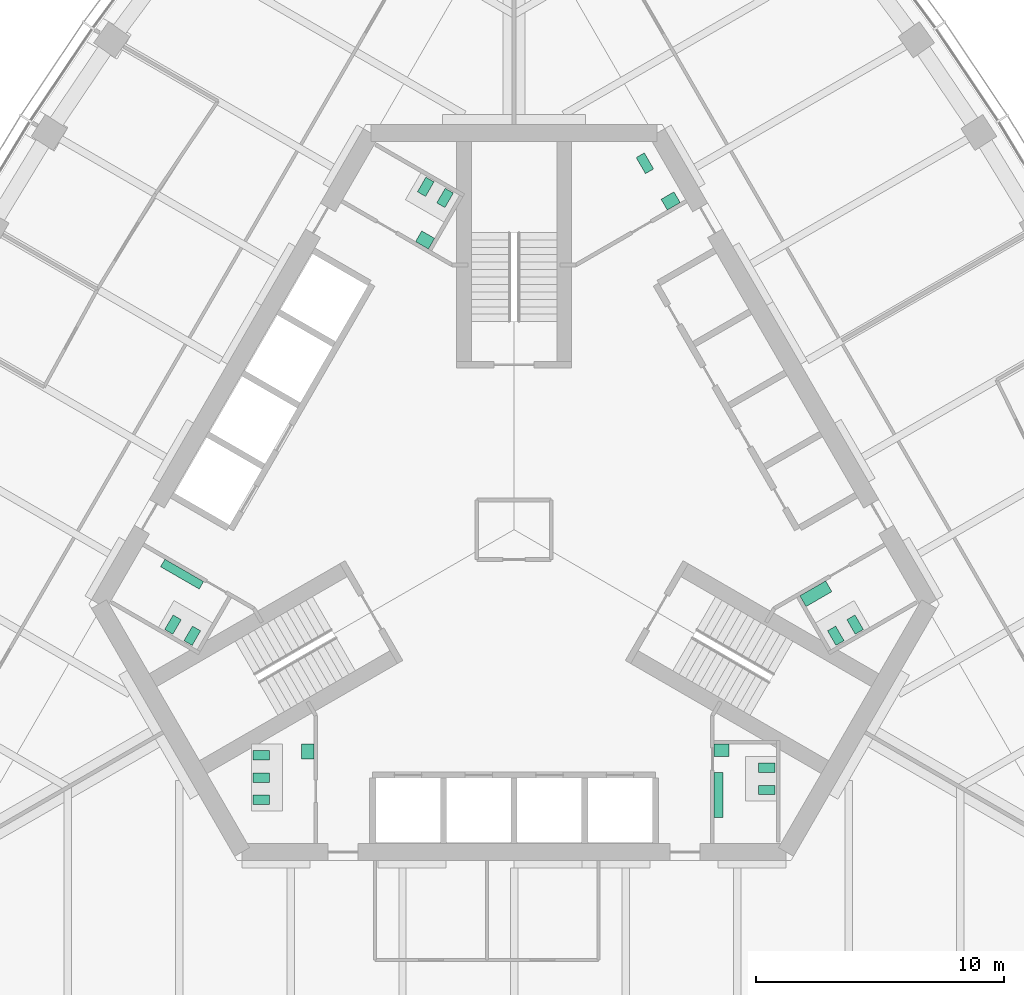
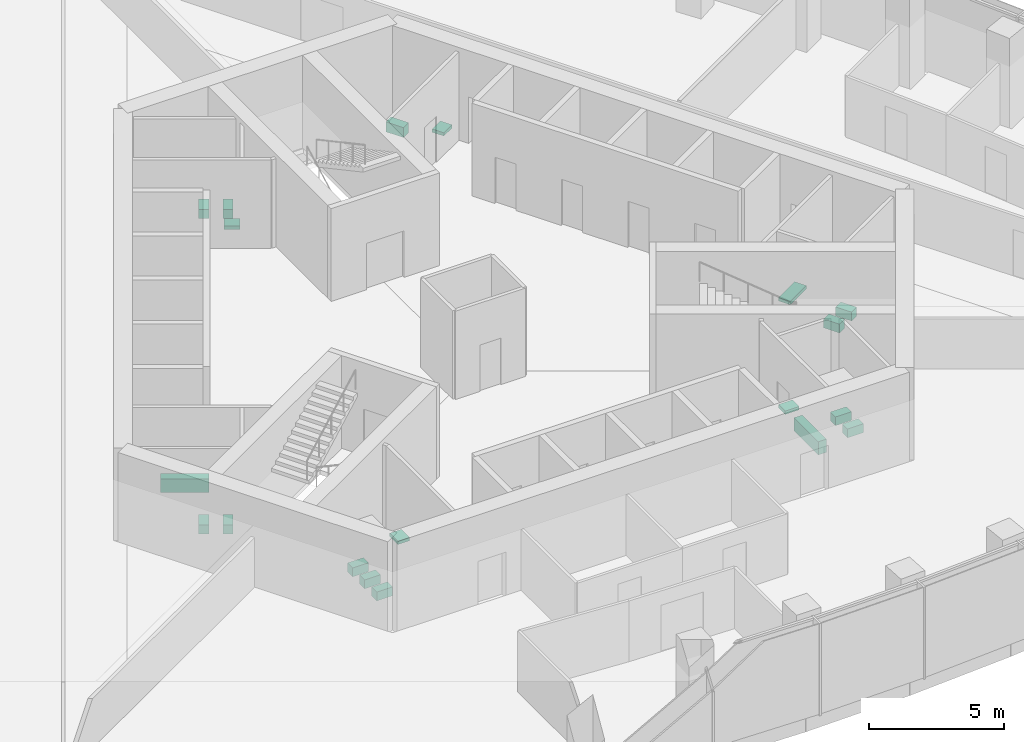
# One storey, part 18 of 19: 19 sanitary terminals.
"""IFC4 building model written with IfcOpenShell, lengths in metres."""

from ifc_helpers import new_model, si_unit, direction, frame, origin, place, context, subcontext, project, spatial, polyline, outline, extrude, material, type_object, element, save


model = new_model("IFC4")

# Units and contexts
model_context = context("Model", 3, precision=1e-05, world=origin(), true_north=direction((0.0, 1.0)))
body_context = subcontext(model_context, "Body", "Model", "MODEL_VIEW")
ifc_project = project(units=[si_unit("LENGTHUNIT", "METRE"), si_unit("AREAUNIT", "SQUARE_METRE"), si_unit("VOLUMEUNIT", "CUBIC_METRE"), si_unit("PLANEANGLEUNIT", "RADIAN"), si_unit("MASSUNIT", "GRAM", prefix="KILO")], contexts=[model_context])

# Site, building, storey
site_placement = place(None, origin())
site = spatial("IfcSite", under=ifc_project, at=site_placement, CompositionType="ELEMENT")
building_placement = place(site_placement, origin())
building = spatial("IfcBuilding", under=site, at=building_placement, Name="Trefoil Bronze Tower", CompositionType="ELEMENT")
storey_placement = place(building_placement, frame((0.0, 0.0, 240.10009765625)))
storey = spatial("IfcBuildingStorey", under=building, at=storey_placement, Name="L55", CompositionType="ELEMENT", Elevation=240.10009765625)

# Sanitary terminals
ifc_material_1 = material(Name="Vitreous china", Category="ceramic")
sanitary_terminal_type_1 = type_object("IfcSanitaryTerminalType", Name="Accessible WC pan", PredefinedType="TOILETPAN", material=ifc_material_1)
sanitary_terminal_1_placement = place(storey_placement, origin())
element("IfcSanitaryTerminal", 1, at=sanitary_terminal_1_placement, inside=storey, type_object=sanitary_terminal_type_1, Name="WC pan 1 Accessible WC L55", PredefinedType="TOILETPAN", context=body_context, shape_type="SweptSolid", body=[
    extrude(outline(polyline([(5.300537109375, 14.359130859375), (4.925537109375, 15.008544921875), (5.254638671875, 15.198486328125), (5.629638671875, 14.549072265625), (5.300537109375, 14.359130859375)])), origin(), (0.0, 0.0, 1.0), 0.449951171875),
])
ifc_material_2 = material(Name="Vitreous china", Category="ceramic")
sanitary_terminal_type_2 = type_object("IfcSanitaryTerminalType", Name="Accessible basin", PredefinedType="WASHHANDBASIN", material=ifc_material_2)
sanitary_terminal_2_placement = place(storey_placement, frame((0.0, 0.0, 0.64990234375)))
element("IfcSanitaryTerminal", 2, at=sanitary_terminal_2_placement, inside=storey, type_object=sanitary_terminal_type_2, Name="Wash basin Accessible WC L55", PredefinedType="WASHHANDBASIN", context=body_context, shape_type="SweptSolid", body=[
    extrude(outline(polyline([(6.181640625, 12.89306640625), (5.931640625, 13.326171875), (6.451171875, 13.626220703125), (6.701171875, 13.193115234375), (6.181640625, 12.89306640625)])), origin(), (0.0, 0.0, 1.0), 0.14990234375),
])
ifc_material_3 = material(Name="Vitreous china", Category="ceramic")
sanitary_terminal_type_3 = type_object("IfcSanitaryTerminalType", Name="Urinal range 3 urinals", PredefinedType="URINAL", material=ifc_material_3)
sanitary_terminal_3_placement = place(storey_placement, frame((0.0, 0.0, 0.39990234375)))
element("IfcSanitaryTerminal", 3, at=sanitary_terminal_3_placement, inside=storey, type_object=sanitary_terminal_type_3, Name="Urinal range WC (men) L55", PredefinedType="URINAL", context=body_context, shape_type="SweptSolid", body=[
    extrude(outline(polyline([(8.074951171875, -9.800048828125), (8.425048828125, -9.800048828125), (8.425048828125, -11.60009765625), (8.074951171875, -11.60009765625), (8.074951171875, -9.800048828125)])), origin(), (0.0, 0.0, 1.0), 0.60009765625),
])
sanitary_terminal_4_placement = place(storey_placement, frame((0.0, 0.0, 0.39990234375)))
element("IfcSanitaryTerminal", 4, at=sanitary_terminal_4_placement, inside=storey, type_object=sanitary_terminal_type_3, Name="Urinal range WC (men) L55", PredefinedType="URINAL", context=body_context, shape_type="SweptSolid", body=[
    extrude(outline(polyline([(-12.524658203125, -2.09326171875), (-12.699462890625, -2.396240234375), (-14.25830078125, -1.496337890625), (-14.08349609375, -1.193115234375), (-12.524658203125, -2.09326171875)])), origin(), (0.0, 0.0, 1.0), 0.60009765625),
])
ifc_material_4 = material(Name="Solid surface vanity", Category="plastic")
sanitary_terminal_type_4 = type_object("IfcSanitaryTerminalType", Name="Vanity unit 1 basins", PredefinedType="WASHHANDBASIN", material=ifc_material_4)
sanitary_terminal_5_placement = place(storey_placement, frame((0.0, 0.0, 0.75)))
element("IfcSanitaryTerminal", 5, at=sanitary_terminal_5_placement, inside=storey, type_object=sanitary_terminal_type_4, Name="Vanity unit WC (men) L55", PredefinedType="WASHHANDBASIN", context=body_context, shape_type="SweptSolid", body=[
    extrude(outline(polyline([(8.074951171875, -8.64990234375), (8.675048828125, -8.64990234375), (8.675048828125, -9.14990234375), (8.074951171875, -9.14990234375), (8.074951171875, -8.64990234375)])), origin(), (0.0, 0.0, 1.0), 0.14990234375),
])
sanitary_terminal_6_placement = place(storey_placement, frame((0.0, 0.0, 0.75)))
element("IfcSanitaryTerminal", 6, at=sanitary_terminal_6_placement, inside=storey, type_object=sanitary_terminal_type_4, Name="Vanity unit WC (women) L55", PredefinedType="WASHHANDBASIN", context=body_context, shape_type="SweptSolid", body=[
    extrude(outline(polyline([(-3.45361328125, 11.318115234375), (-3.20361328125, 11.751220703125), (-3.72314453125, 12.05126953125), (-3.97314453125, 11.6181640625), (-3.45361328125, 11.318115234375)])), origin(), (0.0, 0.0, 1.0), 0.14990234375),
])
sanitary_terminal_7_placement = place(storey_placement, frame((0.0, 0.0, 0.75)))
element("IfcSanitaryTerminal", 7, at=sanitary_terminal_7_placement, inside=storey, type_object=sanitary_terminal_type_4, Name="Vanity unit WC (women) L55", PredefinedType="WASHHANDBASIN", context=body_context, shape_type="SweptSolid", body=[
    extrude(outline(polyline([(-8.074951171875, -8.64990234375), (-8.574951171875, -8.64990234375), (-8.574951171875, -9.25), (-8.074951171875, -9.25), (-8.074951171875, -8.64990234375)])), origin(), (0.0, 0.0, 1.0), 0.14990234375),
])
ifc_material_5 = material(Name="Solid surface vanity", Category="plastic")
sanitary_terminal_type_5 = type_object("IfcSanitaryTerminalType", Name="Vanity unit 2 basins", PredefinedType="WASHHANDBASIN", material=ifc_material_5)
sanitary_terminal_8_placement = place(storey_placement, frame((0.0, 0.0, 0.75)))
element("IfcSanitaryTerminal", 8, at=sanitary_terminal_8_placement, inside=storey, type_object=sanitary_terminal_type_5, Name="Vanity unit WC (women) L55", PredefinedType="WASHHANDBASIN", context=body_context, shape_type="SweptSolid", body=[
    extrude(outline(polyline([(11.528564453125, -2.668212890625), (11.778564453125, -3.10107421875), (12.81787109375, -2.501220703125), (12.56787109375, -2.068115234375), (11.528564453125, -2.668212890625)])), origin(), (0.0, 0.0, 1.0), 0.14990234375),
])
ifc_material_6 = material(Name="Vitreous china", Category="ceramic")
sanitary_terminal_type_6 = type_object("IfcSanitaryTerminalType", Name="WC pan", PredefinedType="TOILETPAN", material=ifc_material_6)
sanitary_terminal_9_placement = place(storey_placement, origin())
element("IfcSanitaryTerminal", 9, at=sanitary_terminal_9_placement, inside=storey, type_object=sanitary_terminal_type_6, Name="WC pan 1 WC (men) L55", PredefinedType="TOILETPAN", context=body_context, shape_type="SweptSolid", body=[
    extrude(outline(polyline([(9.85498046875, -9.409912109375), (10.534912109375, -9.409912109375), (10.534912109375, -9.7900390625), (9.85498046875, -9.7900390625), (9.85498046875, -9.409912109375)])), origin(), (0.0, 0.0, 1.0), 0.39990234375),
])
sanitary_terminal_10_placement = place(storey_placement, origin())
element("IfcSanitaryTerminal", 10, at=sanitary_terminal_10_placement, inside=storey, type_object=sanitary_terminal_type_6, Name="WC pan 2 WC (men) L55", PredefinedType="TOILETPAN", context=body_context, shape_type="SweptSolid", body=[
    extrude(outline(polyline([(9.85498046875, -10.31005859375), (10.534912109375, -10.31005859375), (10.534912109375, -10.68994140625), (9.85498046875, -10.68994140625), (9.85498046875, -10.31005859375)])), origin(), (0.0, 0.0, 1.0), 0.39990234375),
])
sanitary_terminal_11_placement = place(storey_placement, origin())
element("IfcSanitaryTerminal", 11, at=sanitary_terminal_11_placement, inside=storey, type_object=sanitary_terminal_type_6, Name="WC pan 1 WC (women) L55", PredefinedType="TOILETPAN", context=body_context, shape_type="SweptSolid", body=[
    extrude(outline(polyline([(12.643798828125, -4.07958984375), (12.98388671875, -4.66845703125), (13.31298828125, -4.478515625), (12.972900390625, -3.8896484375), (12.643798828125, -4.07958984375)])), origin(), (0.0, 0.0, 1.0), 0.39990234375),
])
sanitary_terminal_12_placement = place(storey_placement, origin())
element("IfcSanitaryTerminal", 12, at=sanitary_terminal_12_placement, inside=storey, type_object=sanitary_terminal_type_6, Name="WC pan 2 WC (women) L55", PredefinedType="TOILETPAN", context=body_context, shape_type="SweptSolid", body=[
    extrude(outline(polyline([(13.423095703125, -3.629638671875), (13.76318359375, -4.218505859375), (14.09228515625, -4.028564453125), (13.752197265625, -3.439697265625), (13.423095703125, -3.629638671875)])), origin(), (0.0, 0.0, 1.0), 0.39990234375),
])
sanitary_terminal_13_placement = place(storey_placement, origin())
element("IfcSanitaryTerminal", 13, at=sanitary_terminal_13_placement, inside=storey, type_object=sanitary_terminal_type_6, Name="WC pan 1 WC (women) L55", PredefinedType="TOILETPAN", context=body_context, shape_type="SweptSolid", body=[
    extrude(outline(polyline([(-2.788818359375, 12.98974609375), (-2.44873046875, 13.57861328125), (-2.77783203125, 13.7685546875), (-3.117919921875, 13.1796875), (-2.788818359375, 12.98974609375)])), origin(), (0.0, 0.0, 1.0), 0.39990234375),
])
sanitary_terminal_14_placement = place(storey_placement, origin())
element("IfcSanitaryTerminal", 14, at=sanitary_terminal_14_placement, inside=storey, type_object=sanitary_terminal_type_6, Name="WC pan 2 WC (women) L55", PredefinedType="TOILETPAN", context=body_context, shape_type="SweptSolid", body=[
    extrude(outline(polyline([(-3.568115234375, 13.439697265625), (-3.228271484375, 14.028564453125), (-3.557373046875, 14.218505859375), (-3.897216796875, 13.629638671875), (-3.568115234375, 13.439697265625)])), origin(), (0.0, 0.0, 1.0), 0.39990234375),
])
sanitary_terminal_15_placement = place(storey_placement, origin())
element("IfcSanitaryTerminal", 15, at=sanitary_terminal_15_placement, inside=storey, type_object=sanitary_terminal_type_6, Name="WC pan 1 WC (men) L55", PredefinedType="TOILETPAN", context=body_context, shape_type="SweptSolid", body=[
    extrude(outline(polyline([(-12.643798828125, -4.07958984375), (-12.98388671875, -4.66845703125), (-13.31298828125, -4.478515625), (-12.972900390625, -3.8896484375), (-12.643798828125, -4.07958984375)])), origin(), (0.0, 0.0, 1.0), 0.39990234375),
])
sanitary_terminal_16_placement = place(storey_placement, origin())
element("IfcSanitaryTerminal", 16, at=sanitary_terminal_16_placement, inside=storey, type_object=sanitary_terminal_type_6, Name="WC pan 2 WC (men) L55", PredefinedType="TOILETPAN", context=body_context, shape_type="SweptSolid", body=[
    extrude(outline(polyline([(-13.423095703125, -3.629638671875), (-13.76318359375, -4.218505859375), (-14.09228515625, -4.028564453125), (-13.752197265625, -3.439697265625), (-13.423095703125, -3.629638671875)])), origin(), (0.0, 0.0, 1.0), 0.39990234375),
])
sanitary_terminal_17_placement = place(storey_placement, origin())
element("IfcSanitaryTerminal", 17, at=sanitary_terminal_17_placement, inside=storey, type_object=sanitary_terminal_type_6, Name="WC pan 1 WC (women) L55", PredefinedType="TOILETPAN", context=body_context, shape_type="SweptSolid", body=[
    extrude(outline(polyline([(-9.85498046875, -8.909912109375), (-10.534912109375, -8.909912109375), (-10.534912109375, -9.2900390625), (-9.85498046875, -9.2900390625), (-9.85498046875, -8.909912109375)])), origin(), (0.0, 0.0, 1.0), 0.39990234375),
])
sanitary_terminal_18_placement = place(storey_placement, origin())
element("IfcSanitaryTerminal", 18, at=sanitary_terminal_18_placement, inside=storey, type_object=sanitary_terminal_type_6, Name="WC pan 2 WC (women) L55", PredefinedType="TOILETPAN", context=body_context, shape_type="SweptSolid", body=[
    extrude(outline(polyline([(-9.85498046875, -9.81005859375), (-10.534912109375, -9.81005859375), (-10.534912109375, -10.18994140625), (-9.85498046875, -10.18994140625), (-9.85498046875, -9.81005859375)])), origin(), (0.0, 0.0, 1.0), 0.39990234375),
])
sanitary_terminal_19_placement = place(storey_placement, origin())
element("IfcSanitaryTerminal", 19, at=sanitary_terminal_19_placement, inside=storey, type_object=sanitary_terminal_type_6, Name="WC pan 3 WC (women) L55", PredefinedType="TOILETPAN", context=body_context, shape_type="SweptSolid", body=[
    extrude(outline(polyline([(-9.85498046875, -10.7099609375), (-10.534912109375, -10.7099609375), (-10.534912109375, -11.090087890625), (-9.85498046875, -11.090087890625), (-9.85498046875, -10.7099609375)])), origin(), (0.0, 0.0, 1.0), 0.39990234375),
])

save(model, "model.ifc")
